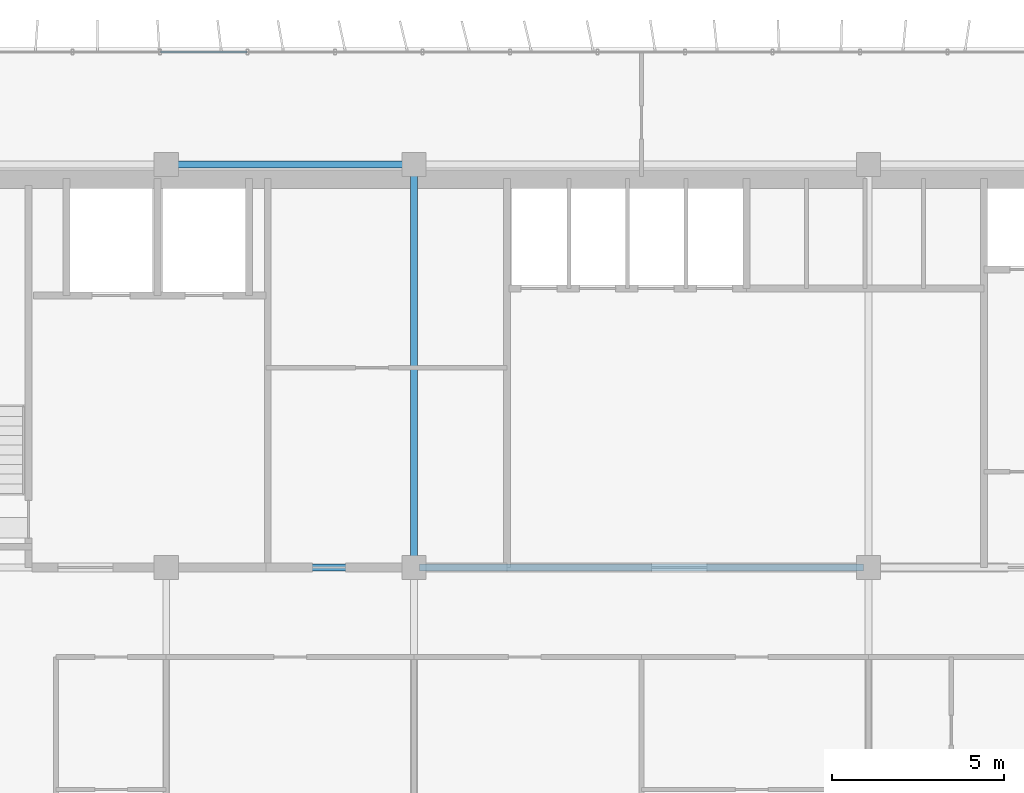
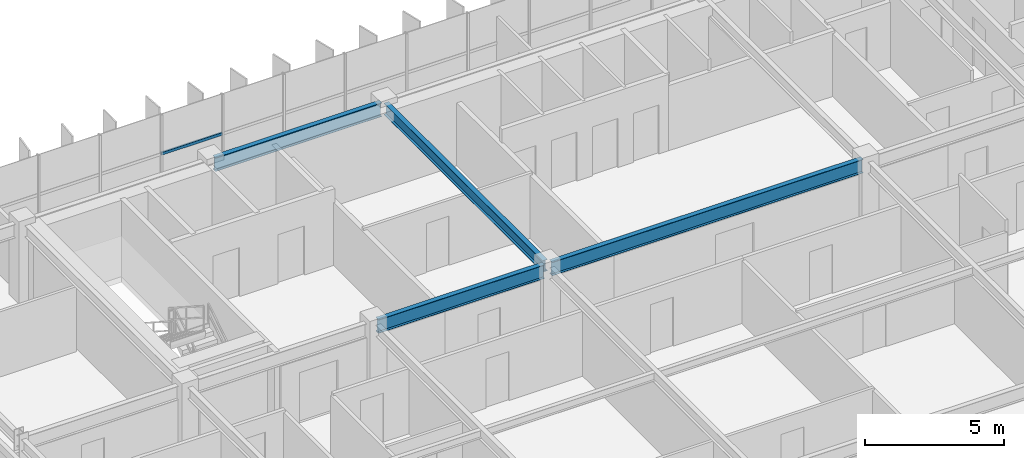
# One storey, part 5 of 20: 4 beams, 1 member, 1 element without a shape of its own.
"""IFC4 building model written with IfcOpenShell, lengths in metres."""

from ifc_helpers import new_model, si_unit, direction, frame, origin, origin_2d, place, context, subcontext, project, spatial, hollow_rectangle, i_section, extrude, source, transform, mapped, material, material_profile, profile_set, type_object, element, aggregate, save


model = new_model("IFC4")

# Units and contexts
model_context = context("Model", 3, precision=1e-05, world=origin(), true_north=direction((0.0, 1.0)))
body_context = subcontext(model_context, "Body", "Model", "MODEL_VIEW")
ifc_project = project(units=[si_unit("LENGTHUNIT", "METRE"), si_unit("AREAUNIT", "SQUARE_METRE"), si_unit("VOLUMEUNIT", "CUBIC_METRE"), si_unit("PLANEANGLEUNIT", "RADIAN"), si_unit("MASSUNIT", "GRAM", prefix="KILO")], contexts=[model_context])

# Site, building, storey
site_placement = place(None, origin())
site = spatial("IfcSite", under=ifc_project, at=site_placement, CompositionType="ELEMENT")
building_placement = place(site_placement, origin())
building = spatial("IfcBuilding", under=site, at=building_placement, Name="Trelvane Seafront Commons", CompositionType="ELEMENT")
storey_placement = place(building_placement, frame((0.0, 0.0, 168.10009765625)))
storey = spatial("IfcBuildingStorey", under=building, at=storey_placement, Name="L44", CompositionType="ELEMENT", Elevation=168.10009765625)

# Beams
ifc_material_1 = material(Name="Steel SM355 (S355)", Category="steel")
ifc_material_profile_1 = material_profile(ifc_material_1, i_section(OverallWidth=0.199951171875, OverallDepth=0.5, WebThickness=0.010009765625, FlangeThickness=0.01611328125, at=origin_2d()), Name="H-500x200x10x16")
ifc_profile_set_1 = profile_set([ifc_material_profile_1], Name="Steel SM355 (S355)")
beam_type_1 = type_object("IfcBeamType", Name="STR-BM-H500", PredefinedType="BEAM", material=ifc_profile_set_1)
shared_shape_1 = source(origin(), body_context, "Body", "SweptSolid", [
    extrude(i_section(OverallWidth=0.199951171875, OverallDepth=0.5, WebThickness=0.010009765625, FlangeThickness=0.01611328125, at=origin_2d()), origin(), (0.0, 0.0, 1.0), 11.39990234375),
])
beam_1_placement = place(storey_placement, frame((30.60009765625, 33.550048828125, 3.099853515625), z_axis=(0.0, 1.0, 0.0), x_axis=(-1.0, 0.0, 0.0)))
element("IfcBeam", 1, at=beam_1_placement, inside=storey, type_object=beam_type_1, Name="L44 Primary Girder G-40", PredefinedType="BEAM", context=body_context, shape_type="MappedRepresentation", body=[
    mapped(shared_shape_1, transform((0.0, 0.0, 0.0), x_axis=(1.0, 0.0, 0.0), y_axis=(0.0, 1.0, 0.0), z_axis=(0.0, 0.0, 1.0), scale=1.0)),
])
ifc_material_profile_2 = material_profile(ifc_material_1, i_section(OverallWidth=0.199951171875, OverallDepth=0.60009765625, WebThickness=0.010986328125, FlangeThickness=0.01708984375, at=origin_2d()), Name="H-600x200x11x17")
ifc_profile_set_2 = profile_set([ifc_material_profile_2], Name="Steel SM355 (S355)")
beam_type_2 = type_object("IfcBeamType", Name="STR-SPD-H600", PredefinedType="SPANDREL", material=ifc_profile_set_2)
shared_shape_2 = source(origin(), body_context, "Body", "SweptSolid", [
    extrude(i_section(OverallWidth=0.199951171875, OverallDepth=0.60009765625, WebThickness=0.010986328125, FlangeThickness=0.01708984375, at=origin_2d()), origin(), (0.0, 0.0, 1.0), 12.89990234375),
])
beam_2_placement = place(storey_placement, frame((30.75, 33.39990234375, 3.0498046875), z_axis=(1.0, 0.0, 0.0), x_axis=(0.0, 1.0, 0.0)))
element("IfcBeam", 2, at=beam_2_placement, inside=storey, type_object=beam_type_2, Name="L44 Primary Girder G-18", PredefinedType="SPANDREL", context=body_context, shape_type="MappedRepresentation", body=[
    mapped(shared_shape_2, transform((0.0, 0.0, 0.0), x_axis=(1.0, 0.0, 0.0), y_axis=(0.0, 1.0, 0.0), z_axis=(0.0, 0.0, 1.0), scale=1.0)),
])
shared_shape_3 = source(origin(), body_context, "Body", "SweptSolid", [
    extrude(i_section(OverallWidth=0.199951171875, OverallDepth=0.60009765625, WebThickness=0.010986328125, FlangeThickness=0.01708984375, at=origin_2d()), origin(), (0.0, 0.0, 1.0), 6.89990234375),
])
for number, where, z_axis, x_axis, name in (
    (3, (23.550048828125, 33.39990234375, 3.0498046875), (1.0, 0.0, 0.0), (0.0, 1.0, 0.0), "L44 Primary Girder G-17"),
    (4, (23.550048828125, 45.10009765625, 3.0498046875), (1.0, 0.0, 0.0), (0.0, 1.0, 0.0), "L44 Primary Girder G-24"),
):
    element("IfcBeam", number, at=place(storey_placement, frame(where, z_axis=z_axis, x_axis=x_axis)), inside=storey, type_object=beam_type_2, Name=name, PredefinedType="SPANDREL", context=body_context, shape_type="MappedRepresentation", body=[
        mapped(shared_shape_3, transform((0.0, 0.0, 0.0), x_axis=(1.0, 0.0, 0.0), y_axis=(0.0, 1.0, 0.0), z_axis=(0.0, 0.0, 1.0), scale=1.0)),
    ])

# Curtain wall, member
ifc_material_2 = material(Name="Anodised pale-silver aluminium", Category="aluminium")
curtain_wall_type = type_object("IfcCurtainWallType", Name="ARCH-CW5-UPTOWER", PredefinedType="NOTDEFINED", material=ifc_material_2)
curtain_wall_placement = place(storey_placement, origin())
curtain_wall = element("IfcCurtainWall", 5, at=curtain_wall_placement, inside=storey, type_object=curtain_wall_type, Name="CW-L44-0071", PredefinedType="NOTDEFINED")
ifc_material_profile_3 = material_profile(ifc_material_2, hollow_rectangle(XDim=0.070068359375, YDim=0.1201171875, WallThickness=0.00390625, at=origin_2d()), Name="TRAN-70x120x4")
ifc_profile_set_3 = profile_set([ifc_material_profile_3], Name="Anodised pale-silver aluminium")
member_type = type_object("IfcMemberType", Name="ARCH-CW-TRAN-120", PredefinedType="USERDEFINED", material=ifc_profile_set_3)
shared_shape_4 = source(origin(), body_context, "Body", "SweptSolid", [
    extrude(hollow_rectangle(XDim=0.070068359375, YDim=0.1201171875, WallThickness=0.00390625, at=origin_2d()), origin(), (0.0, 0.0, 1.0), 2.51708984375),
])
member_placement = place(storey_placement, frame((23.235595703125, 48.3701171875, 1.60791015625), z_axis=(1.0, 0.0, 0.0), x_axis=(0.0, 1.0, 0.0)))
member = element("IfcMember", 6, at=member_placement, type_object=member_type, Name="CW-L44-0071-T03", ObjectType="TRANSOM", PredefinedType="USERDEFINED", context=body_context, shape_type="MappedRepresentation", body=[
    mapped(shared_shape_4, transform((0.0, 0.0, 0.0), x_axis=(1.0, 0.0, 0.0), y_axis=(0.0, 1.0, 0.0), z_axis=(0.0, 0.0, 1.0), scale=1.0)),
])
aggregate(curtain_wall, [member])

save(model, "model.ifc")
